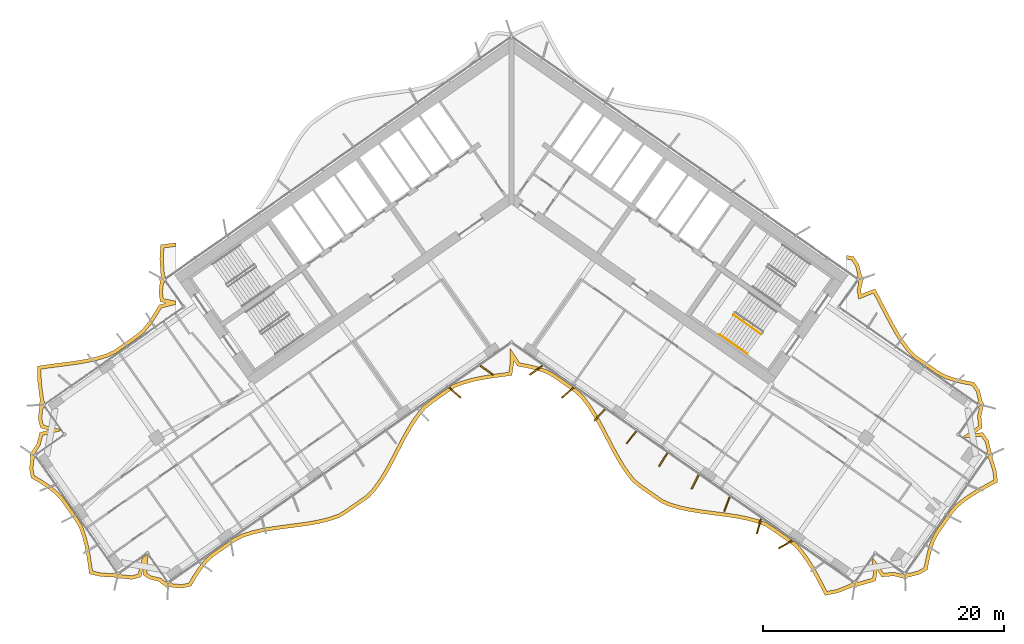
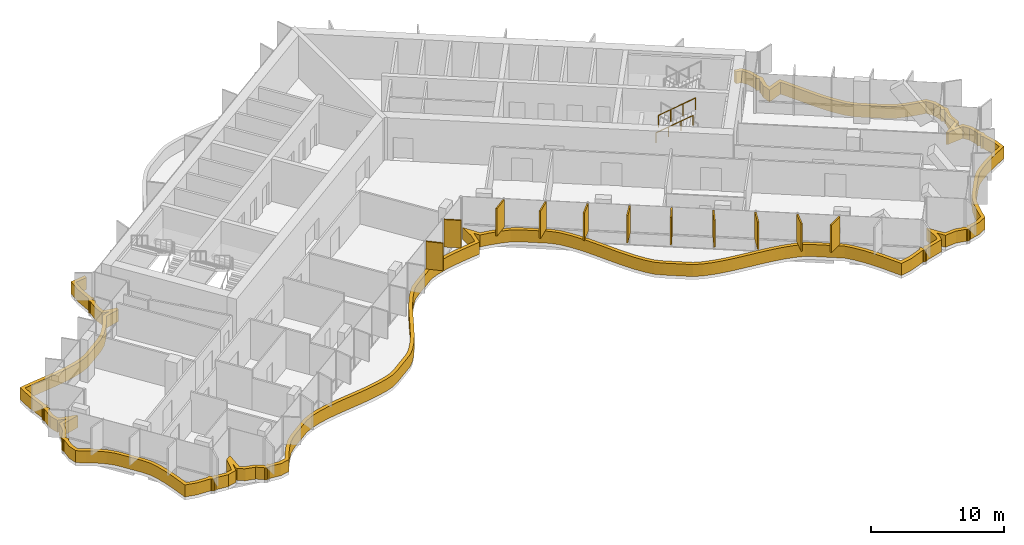
# One storey, part 19 of 21: 12 shading devices, 2 railings.
"""IFC4 building model written with IfcOpenShell, lengths in metres."""

from ifc_helpers import new_model, si_unit, direction, frame, origin, origin_2d, place, context, subcontext, project, spatial, polyline, rectangle, circle, outline, extrude, material, layer, layer_set, type_object, element, save


model = new_model("IFC4")

# Units and contexts
model_context = context("Model", 3, precision=1e-05, world=origin(), true_north=direction((0.0, 1.0)))
body_context = subcontext(model_context, "Body", "Model", "MODEL_VIEW")
ifc_project = project(units=[si_unit("LENGTHUNIT", "METRE"), si_unit("AREAUNIT", "SQUARE_METRE"), si_unit("VOLUMEUNIT", "CUBIC_METRE"), si_unit("PLANEANGLEUNIT", "RADIAN"), si_unit("MASSUNIT", "GRAM", prefix="KILO")], contexts=[model_context])

# Site, building, storey
site_placement = place(None, origin())
site = spatial("IfcSite", under=ifc_project, at=site_placement, CompositionType="ELEMENT")
building_placement = place(site_placement, origin())
building = spatial("IfcBuilding", under=site, at=building_placement, Name="Tel Ilan Convention Tower", CompositionType="ELEMENT")
storey_placement = place(building_placement, frame((0.0, 0.0, 139.800048828125)))
storey = spatial("IfcBuildingStorey", under=building, at=storey_placement, Name="L31", CompositionType="ELEMENT", Elevation=139.800048828125)

# Shading devices
ifc_material_1 = material(Name="Aluminium, bronze anodised", Category="aluminium")
ifc_layer_1 = layer(ifc_material_1, 0.1201171875)
ifc_layer_set_1 = layer_set([ifc_layer_1], Name="FIN BRONZE 1300x120")
shading_device_type_1 = type_object("IfcShadingDeviceType", Name="FIN BRONZE 1300x120", PredefinedType="USERDEFINED", material=ifc_layer_set_1)
for number, where, z_axis, x_axis, name in (
    (1, (-4.6923828125, -16.89111328125, 1.099853515625), (0.0, 0.0, 1.0), (0.753435896329, -0.657521368568, 0.0), "FIN"),
    (2, (-2.05517578125, -15.029052734375, 1.099853515625), (0.0, 0.0, 1.0), (0.813552070258, -0.581492071294, 0.0), "FIN"),
    (3, (2.05517578125, -15.029052734375, 1.099853515625), (0.0, 0.0, 1.0), (-0.813552070258, -0.581492071294, 0.0), "FIN"),
    (4, (4.6923828125, -16.89111328125, 1.099853515625), (0.0, 0.0, 1.0), (-0.753435896329, -0.657521368568, 0.0), "FIN"),
    (5, (7.33447265625, -18.748779296875, 1.099853515625), (0.0, 0.0, 1.0), (-0.686241637865, -0.727373641577, 0.0), "FIN"),
    (6, (9.980712890625, -20.602294921875, 1.099853515625), (0.0, 0.0, 1.0), (-0.612600545196, -0.790392669516, 0.0), "FIN"),
    (7, (12.62744140625, -22.455322265625, 1.099853515625), (0.0, 0.0, 1.0), (-0.533204432798, -0.845986425922, 0.0), "FIN"),
    (8, (15.27392578125, -24.30810546875, 1.099853515625), (0.0, 0.0, 1.0), (-0.448799180206, -0.893632640321, 0.0), "FIN"),
    (9, (17.92333984375, -26.155517578125, 1.099853515625), (0.0, 0.0, 1.0), (-0.360177724803, -0.932883704733, 0.0), "FIN"),
    (10, (20.574951171875, -27.996826171875, 1.099853515625), (0.0, 0.0, 1.0), (-0.268172612768, -0.963370878614, 0.0), "FIN"),
    (11, (22.7783203125, -29.517333984375, 1.099853515625), (0.0, 0.0, 1.0), (-0.866025403784, -0.5, 0.0), "FIN"),
):
    element("IfcShadingDevice", number, at=place(storey_placement, frame(where, z_axis=z_axis, x_axis=x_axis)), inside=storey, type_object=shading_device_type_1, Name=name, ObjectType="FIN", PredefinedType="USERDEFINED", context=body_context, shape_type="SweptSolid", body=[
        extrude(rectangle(XDim=1.300048828125, YDim=0.1201171875, at=origin_2d()), origin(), (0.0, 0.0, 1.0), 2.52001953125),
    ])
ifc_material_2 = material(Name="Aluminium, bronze anodised", Category="aluminium")
ifc_layer_2 = layer(ifc_material_2, 0.300048828125)
ifc_layer_set_2 = layer_set([ifc_layer_2], Name="LOUVRE BAND 300x1100")
shading_device_type_2 = type_object("IfcShadingDeviceType", Name="LOUVRE BAND 300x1100", PredefinedType="USERDEFINED", material=ifc_layer_set_2)
shading_device_placement = place(storey_placement, origin())
element("IfcShadingDevice", 12, at=shading_device_placement, inside=storey, type_object=shading_device_type_2, Name="LOUVRE BAND 25.01", ObjectType="LOUVRE", PredefinedType="USERDEFINED", context=body_context, shape_type="SweptSolid", body=[
    extrude(outline(polyline([(-40.0625, -23.190673828125), (-39.92822265625, -23.97265625), (-39.250732421875, -24.374267578125), (-38.60546875, -24.798583984375), (-38.006591796875, -25.25537109375), (-37.49755859375, -25.77490234375), (-36.2626953125, -27.53857421875), (-35.8984375, -28.15966796875), (-35.6572265625, -28.86669921875), (-35.46484375, -29.608154296875), (-35.312744140625, -30.377685546875), (-35.189697265625, -31.167724609375), (-35.07666015625, -31.964599609375), (-34.1298828125, -32.177734375), (-32.96484375, -32.238037109375), (-32.93603515625, -32.281494140625), (-32.838623046875, -32.346435546875), (-32.723876953125, -32.369384765625), (-32.609130859375, -32.346435546875), (-32.554931640625, -32.310302734375), (-31.562744140625, -32.420166015625), (-30.788818359375, -32.2177734375), (-30.573974609375, -31.399658203125), (-30.615234375, -32.057861328125), (-30.059814453125, -32.4013671875), (-29.2880859375, -32.593505859375), (-28.79150390625, -32.97802734375), (-28.786865234375, -32.974853515625), (-28.7578125, -33.01806640625), (-28.660400390625, -33.083251953125), (-28.545654296875, -33.10595703125), (-28.430908203125, -33.083251953125), (-28.376953125, -33.047119140625), (-27.396728515625, -33.154296875), (-26.6201171875, -32.970703125), (-26.2060546875, -32.269287109375), (-25.76416015625, -31.607666015625), (-25.286865234375, -30.996826171875), (-24.7294921875, -30.500244140625), (-22.907470703125, -29.224365234375), (-22.2314453125, -28.89697265625), (-21.48779296875, -28.666259765625), (-20.7099609375, -28.484619140625), (-19.905029296875, -28.34130859375), (-19.08251953125, -28.2236328125), (-17.421875, -28.009765625), (-16.60400390625, -27.885009765625), (-15.80712890625, -27.73046875), (-15.039794921875, -27.533935546875), (-14.308837890625, -27.284912109375), (-13.6689453125, -26.906005859375), (-11.846923828125, -25.63037109375), (-11.327880859375, -25.078857421875), (-10.86279296875, -24.4501953125), (-10.43115234375, -23.7744140625), (-10.024658203125, -23.06201171875), (-9.634765625, -22.326171875), (-8.864990234375, -20.84033203125), (-8.46533203125, -20.118408203125), (-8.043212890625, -19.428466796875), (-7.59033203125, -18.782470703125), (-7.10009765625, -18.190185546875), (-6.5087890625, -17.741943359375), (-4.686767578125, -16.466064453125), (-3.97021484375, -16.19677734375), (-3.214599609375, -15.983154296875), (-2.427001953125, -15.8154296875), (-1.615234375, -15.681884765625), (0.04248046875, -15.464111328125), (0.2060546875, -14.405029296875), (0.201416015625, -14.2236328125), (0.50390625, -14.683837890625), (1.3046875, -14.8330078125), (2.077392578125, -15.02197265625), (2.814697265625, -15.26171875), (3.47216796875, -15.615478515625), (5.294189453125, -16.891357421875), (5.832763671875, -17.414794921875), (6.303955078125, -18.034423828125), (6.74072265625, -18.703369140625), (7.150634765625, -19.41064453125), (7.542724609375, -20.143310546875), (8.3115234375, -21.630615234375), (8.70849609375, -22.3564453125), (9.126220703125, -23.052490234375), (9.573486328125, -23.706298828125), (10.057373046875, -24.30810546875), (10.63232421875, -24.77978515625), (12.454345703125, -26.0556640625), (13.14990234375, -26.354736328125), (13.899658203125, -26.57666015625), (14.6826171875, -26.751220703125), (15.490966796875, -26.889404296875), (16.315673828125, -27.004150390625), (17.975341796875, -27.21923828125), (18.790283203125, -27.347900390625), (19.5830078125, -27.5087890625), (20.344970703125, -27.71337890625), (21.069091796875, -27.9716796875), (21.692626953125, -28.373779296875), (23.5146484375, -29.649658203125), (24.012939453125, -30.230712890625), (24.47216796875, -30.86767578125), (24.899169921875, -31.550537109375), (25.30224609375, -32.267578125), (26.07373046875, -33.750732421875), (27.125, -33.542236328125), (28.376953125, -33.047119140625), (28.430908203125, -33.083251953125), (28.545654296875, -33.10595703125), (28.660400390625, -33.083251953125), (28.7578125, -33.01806640625), (28.786865234375, -32.974853515625), (29.53466796875, -32.76611328125), (30.271240234375, -32.54931640625), (30.40380859375, -31.90966796875), (30.373046875, -31.6162109375), (30.788818359375, -32.2177734375), (31.767822265625, -32.126953125), (32.5517578125, -32.31494140625), (32.554931640625, -32.310302734375), (32.609130859375, -32.346435546875), (32.723876953125, -32.369384765625), (32.838623046875, -32.346435546875), (32.93603515625, -32.281494140625), (32.96484375, -32.238037109375), (33.88818359375, -32.008544921875), (34.5771484375, -31.61474609375), (34.722900390625, -30.8408203125), (34.90087890625, -30.08935546875), (35.125244140625, -29.370361328125), (35.439453125, -28.714111328125), (36.67431640625, -26.95068359375), (37.13330078125, -26.39599609375), (37.71533203125, -25.927490234375), (38.346435546875, -25.4931640625), (39.017333984375, -25.0869140625), (39.717529296875, -24.701171875), (40.427734375, -24.322265625), (40.30419921875, -23.359619140625), (39.962646484375, -22.244384765625), (39.99853515625, -22.1904296875), (40.021484375, -22.07568359375), (39.99853515625, -21.9609375), (39.93359375, -21.863525390625), (39.890380859375, -21.83447265625), (39.654052734375, -20.864501953125), (39.19921875, -20.20654296875), (38.498291015625, -20.271484375), (39.133056640625, -19.83251953125), (39.04248046875, -18.853515625), (39.23046875, -18.069580078125), (39.225830078125, -18.066162109375), (39.261962890625, -18.01220703125), (39.28466796875, -17.8974609375), (39.261962890625, -17.78271484375), (39.19677734375, -17.685302734375), (39.153564453125, -17.656494140625), (38.917724609375, -16.690185546875), (38.468017578125, -16.029296875), (37.661376953125, -15.878662109375), (36.88330078125, -15.686767578125), (36.141357421875, -15.443115234375), (35.483642578125, -15.07958984375), (33.64697265625, -13.793701171875), (33.11279296875, -13.25341796875), (32.64111328125, -12.6240234375), (32.20361328125, -11.94580078125), (31.792724609375, -11.229736328125), (31.39892578125, -10.4892578125), (30.623291015625, -8.990966796875), (30.220947265625, -8.262451171875), (29.09619140625, -8.70458984375), (29.044921875, -8.373779296875), (29.20458984375, -7.631103515625), (29.199951171875, -7.6279296875), (29.236083984375, -7.57373046875), (29.2587890625, -7.458984375), (29.236083984375, -7.34423828125), (29.1708984375, -7.246826171875), (29.127685546875, -7.218017578125), (28.894287109375, -6.267333984375), (28.465576171875, -5.595458984375), (27.874755859375, -5.485595703125), (27.874755859375, -5.790771484375), (28.28271484375, -5.86669921875), (28.614990234375, -6.387451171875), (28.806640625, -7.1533203125), (28.713134765625, -7.286865234375), (28.958740234375, -7.458984375), (28.787353515625, -7.705322265625), (28.869384765625, -7.7626953125), (28.73974609375, -8.364990234375), (28.857421875, -9.12060546875), (30.085693359375, -8.63818359375), (30.35888671875, -9.1328125), (31.133056640625, -10.628173828125), (31.530029296875, -11.375), (31.947265625, -12.101806640625), (32.394775390625, -12.795654296875), (32.885009765625, -13.44970703125), (33.45263671875, -14.02392578125), (35.324462890625, -15.33447265625), (36.02099609375, -15.71923828125), (36.80029296875, -15.975341796875), (37.597900390625, -16.171875), (38.290283203125, -16.30126953125), (38.6396484375, -16.814453125), (38.832763671875, -17.591552734375), (38.739013671875, -17.725341796875), (38.98486328125, -17.8974609375), (38.813232421875, -18.1435546875), (38.89111328125, -18.1982421875), (38.7392578125, -18.831787109375), (38.818359375, -19.685546875), (37.55517578125, -20.55859375), (37.682861328125, -20.648193359375), (39.052001953125, -20.521484375), (39.3759765625, -20.989990234375), (39.569580078125, -21.769775390625), (39.475830078125, -21.903564453125), (39.721435546875, -22.07568359375), (39.550048828125, -22.32177734375), (39.710205078125, -22.43408203125), (40.009765625, -23.4228515625), (40.103759765625, -24.155029296875), (38.8671875, -24.8271484375), (38.18359375, -25.240966796875), (37.535888671875, -25.686767578125), (36.921630859375, -26.181396484375), (36.435302734375, -26.7685546875), (35.179443359375, -28.562255859375), (34.84521484375, -29.26025390625), (34.611328125, -30.010009765625), (34.42919921875, -30.7783203125), (34.30810546875, -31.423095703125), (33.77490234375, -31.727783203125), (33.029052734375, -31.916748046875), (32.89599609375, -31.823486328125), (32.723876953125, -32.0693359375), (32.4775390625, -31.89794921875), (32.423095703125, -31.9755859375), (31.78955078125, -31.82373046875), (30.935791015625, -31.90283203125), (30.0625, -30.6396484375), (29.980712890625, -30.756591796875), (30.1005859375, -31.894775390625), (30.013916015625, -32.312255859375), (28.846435546875, -32.650390625), (28.7177734375, -32.560302734375), (28.545654296875, -32.805908203125), (28.299560546875, -32.634521484375), (28.1796875, -32.8056640625), (27.040283203125, -33.253173828125), (26.237060546875, -33.41259765625), (25.565673828125, -32.124267578125), (25.1572265625, -31.3974609375), (24.72119140625, -30.7001953125), (24.2490234375, -30.045166015625), (23.7177734375, -29.425537109375), (21.860107421875, -28.124755859375), (21.20263671875, -27.70068359375), (20.434326171875, -27.4267578125), (19.65185546875, -27.216552734375), (18.843505859375, -27.052734375), (18.0185546875, -26.92236328125), (16.355224609375, -26.706787109375), (15.536865234375, -26.593017578125), (14.740478515625, -26.456787109375), (13.97509765625, -26.2861328125), (13.252197265625, -26.072021484375), (12.60107421875, -25.792236328125), (10.813720703125, -24.54052734375), (10.271728515625, -24.095703125), (9.814697265625, -23.52734375), (9.37890625, -22.890380859375), (8.96875, -22.207275390625), (8.576416015625, -21.489501953125), (7.808349609375, -20.00390625), (7.412841796875, -19.2646484375), (6.996337890625, -18.546142578125), (6.54931640625, -17.861572265625), (6.05810546875, -17.215087890625), (5.48583984375, -16.659423828125), (3.629638671875, -15.359619140625), (2.93310546875, -14.98486328125), (2.159423828125, -14.733154296875), (1.36767578125, -14.53955078125), (0.684326171875, -14.412353515625), (-0.125, -13.18017578125), (-0.0947265625, -14.3857421875), (-0.219482421875, -15.19482421875), (-1.659912109375, -15.38525390625), (-2.482666015625, -15.5205078125), (-3.286865234375, -15.691650390625), (-4.06396484375, -15.911376953125), (-4.827880859375, -16.198486328125), (-6.685546875, -17.49951171875), (-7.308837890625, -17.97216796875), (-7.8291015625, -18.6005859375), (-8.294189453125, -19.263916015625), (-8.724609375, -19.96728515625), (-9.12939453125, -20.6982421875), (-9.900634765625, -22.1875), (-10.28759765625, -22.91748046875), (-10.68798828125, -23.619140625), (-11.110107421875, -24.280029296875), (-11.55859375, -24.88623046875), (-12.044189453125, -25.40234375), (-13.831787109375, -26.65380859375), (-14.43505859375, -27.010986328125), (-15.12548828125, -27.24609375), (-15.873046875, -27.437744140625), (-16.6552734375, -27.58935546875), (-17.4638671875, -27.712646484375), (-19.12255859375, -27.92626953125), (-19.95263671875, -28.045166015625), (-20.770263671875, -28.190673828125), (-21.56640625, -28.376708984375), (-22.341796875, -28.6171875), (-23.059814453125, -28.96484375), (-24.916015625, -30.264404296875), (-25.506591796875, -30.790771484375), (-26.007568359375, -31.431884765625), (-26.460205078125, -32.109619140625), (-26.8134765625, -32.708251953125), (-27.416015625, -32.8505859375), (-28.206298828125, -32.767578125), (-28.299560546875, -32.634521484375), (-28.545654296875, -32.805908203125), (-28.7177734375, -32.560302734375), (-28.782470703125, -32.60546875), (-29.154296875, -32.317626953125), (-29.94189453125, -32.12158203125), (-30.3046875, -31.897216796875), (-30.21240234375, -30.42578125), (-30.266357421875, -30.3486328125), (-30.685302734375, -30.641845703125), (-31.034423828125, -31.971923828125), (-31.58544921875, -32.115966796875), (-32.38427734375, -32.03125), (-32.4775390625, -31.89794921875), (-32.723876953125, -32.0693359375), (-32.89599609375, -31.823486328125), (-33.056640625, -31.93603515625), (-34.08837890625, -31.87939453125), (-34.80859375, -31.71728515625), (-35.017333984375, -30.325439453125), (-35.17236328125, -29.54150390625), (-35.36962890625, -28.780517578125), (-35.624267578125, -28.033935546875), (-36.010009765625, -27.376220703125), (-37.265869140625, -25.58251953125), (-37.807373046875, -25.02978515625), (-38.431884765625, -24.5537109375), (-39.091796875, -24.119873046875), (-39.656005859375, -23.78515625), (-39.760009765625, -23.18017578125), (-39.6826171875, -22.41455078125), (-39.550048828125, -22.32177734375), (-39.721435546875, -22.07568359375), (-39.475830078125, -21.903564453125), (-39.53076171875, -21.8251953125), (-39.171142578125, -21.28173828125), (-38.953369140625, -20.452392578125), (-37.4677734375, -20.06396484375), (-37.557373046875, -19.93603515625), (-38.88720703125, -19.5869140625), (-39.031494140625, -19.035888671875), (-38.946533203125, -18.237060546875), (-38.813232421875, -18.1435546875), (-38.98486328125, -17.8974609375), (-38.739013671875, -17.725341796875), (-38.869140625, -17.53955078125), (-39.0703125, -16.02099609375), (-39.097412109375, -14.9482421875), (-38.5390625, -14.860595703125), (-36.869140625, -14.64453125), (-36.031494140625, -14.52685546875), (-35.205810546875, -14.383544921875), (-34.40087890625, -14.200439453125), (-33.618408203125, -13.963134765625), (-32.884765625, -13.626220703125), (-31.012939453125, -12.315673828125), (-30.4130859375, -11.792724609375), (-29.906005859375, -11.14794921875), (-29.44873046875, -10.4658203125), (-29.09033203125, -9.859375), (-27.874755859375, -9.551025390625), (-27.874755859375, -9.287353515625), (-28.923828125, -9.080322265625), (-28.992431640625, -8.5439453125), (-28.91943359375, -7.797607421875), (-28.787353515625, -7.705322265625), (-28.958740234375, -7.458984375), (-28.713134765625, -7.286865234375), (-28.83740234375, -7.109375), (-28.93115234375, -5.783447265625), (-28.876953125, -4.86572265625), (-27.874755859375, -4.735107421875), (-27.874755859375, -4.4326171875), (-29.161865234375, -4.60107421875), (-29.231689453125, -5.78515625), (-29.127685546875, -7.218017578125), (-29.1708984375, -7.246826171875), (-29.236083984375, -7.34423828125), (-29.2587890625, -7.458984375), (-29.236083984375, -7.57373046875), (-29.199951171875, -7.6279296875), (-29.29443359375, -8.548583984375), (-29.19384765625, -9.332763671875), (-28.654541015625, -9.439208984375), (-29.284912109375, -9.59912109375), (-29.70263671875, -10.305908203125), (-30.14892578125, -10.971435546875), (-30.631591796875, -11.5849609375), (-31.197998046875, -12.078857421875), (-33.03466796875, -13.364990234375), (-33.72509765625, -13.68212890625), (-34.477783203125, -13.91015625), (-35.2646484375, -14.089111328125), (-36.078125, -14.23046875), (-36.90869140625, -14.34716796875), (-38.58203125, -14.563720703125), (-39.404052734375, -14.692626953125), (-39.369873046875, -16.044677734375), (-39.153564453125, -17.656494140625), (-39.19677734375, -17.685302734375), (-39.261962890625, -17.78271484375), (-39.28466796875, -17.8974609375), (-39.261962890625, -18.01220703125), (-39.225830078125, -18.066162109375), (-39.33544921875, -19.05859375), (-39.133056640625, -19.83251953125), (-38.452392578125, -20.01123046875), (-39.19921875, -20.20654296875), (-39.44873046875, -21.157470703125), (-39.8935546875, -21.829833984375), (-39.890380859375, -21.83447265625), (-39.93359375, -21.863525390625), (-39.99853515625, -21.9609375), (-40.021484375, -22.07568359375), (-39.99853515625, -22.1904296875), (-39.962646484375, -22.244384765625), (-40.0625, -23.190673828125)])), origin(), (0.0, 0.0, 1.0), 1.099853515625),
])

# Railings
ifc_material_3 = material(Name="Stainless Steel Grade 316", Category="steel")
railing_type_1 = type_object("IfcRailingType", Name="Stainless Steel Stair Guard 1100 mm", PredefinedType="GUARDRAIL", material=ifc_material_3)
railing_1_placement = place(storey_placement, frame((18.4599609375, -10.423095703125, 2.127197265625)))
element("IfcRailing", 13, at=railing_1_placement, inside=storey, type_object=railing_type_1, Name="L31 S4 stair guard 3", PredefinedType="GUARDRAIL", context=body_context, shape_type="SweptSolid", body=[
    extrude(circle(Radius=0.02392578125, at=origin_2d()), frame((0.0, 0.0, 1.076171875), z_axis=(0.692098378994, -0.484653031975, 0.534893701956), x_axis=(0.573608623498, 0.819129505664, 0.0)), (0.0, 0.0, 1.0), 3.314208984375),
    extrude(circle(Radius=0.02099609375, at=origin_2d()), origin(), (0.0, 0.0, 1.0), 1.052001953125),
    extrude(circle(Radius=0.02099609375, at=origin_2d()), frame((0.7646484375, -0.535400390625, 0.5908203125)), (0.0, 0.0, 1.0), 1.052001953125),
    extrude(circle(Radius=0.02099609375, at=origin_2d()), frame((1.529052734375, -1.07080078125, 1.181884765625)), (0.0, 0.0, 1.0), 1.052001953125),
    extrude(circle(Radius=0.02099609375, at=origin_2d()), frame((2.293701171875, -1.606201171875, 1.772705078125)), (0.0, 0.0, 1.0), 1.052001953125),
])
ifc_material_4 = material(Name="Stainless Steel Grade 316", Category="steel")
railing_type_2 = type_object("IfcRailingType", Name="Stainless Steel Stair Handrail 900 mm", PredefinedType="HANDRAIL", material=ifc_material_4)
railing_2_placement = place(storey_placement, frame((17.312744140625, -12.0615234375, 2.127197265625)))
element("IfcRailing", 14, at=railing_2_placement, inside=storey, type_object=railing_type_2, Name="L31 S4 stair handrail 2", PredefinedType="HANDRAIL", context=body_context, shape_type="SweptSolid", body=[
    extrude(circle(Radius=0.02392578125, at=origin_2d()), frame((0.0, 0.0, 0.8759765625), z_axis=(0.692123088272, -0.484596665743, 0.534912798717), x_axis=(0.573550118428, 0.819170471667, 0.0)), (0.0, 0.0, 1.0), 3.31396484375),
    extrude(circle(Radius=0.02099609375, at=origin_2d()), origin(), (0.0, 0.0, 1.0), 0.851806640625),
    extrude(circle(Radius=0.02099609375, at=origin_2d()), frame((0.7646484375, -0.535400390625, 0.5908203125)), (0.0, 0.0, 1.0), 0.851806640625),
    extrude(circle(Radius=0.02099609375, at=origin_2d()), frame((1.529052734375, -1.070556640625, 1.181884765625)), (0.0, 0.0, 1.0), 0.851806640625),
    extrude(circle(Radius=0.02099609375, at=origin_2d()), frame((2.293701171875, -1.60595703125, 1.772705078125)), (0.0, 0.0, 1.0), 0.851806640625),
])

save(model, "model.ifc")
